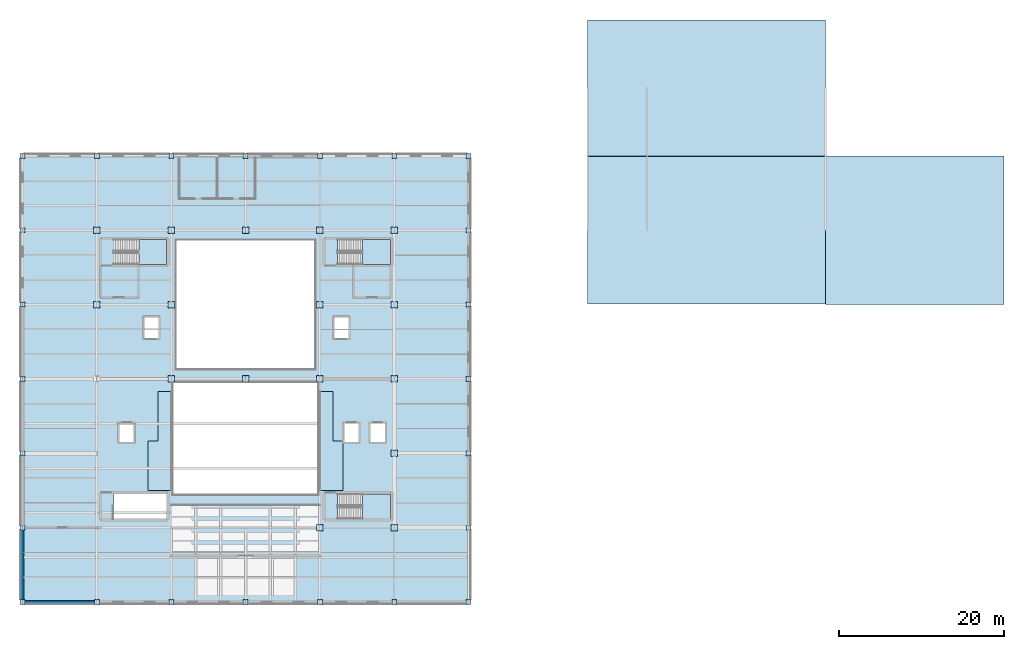
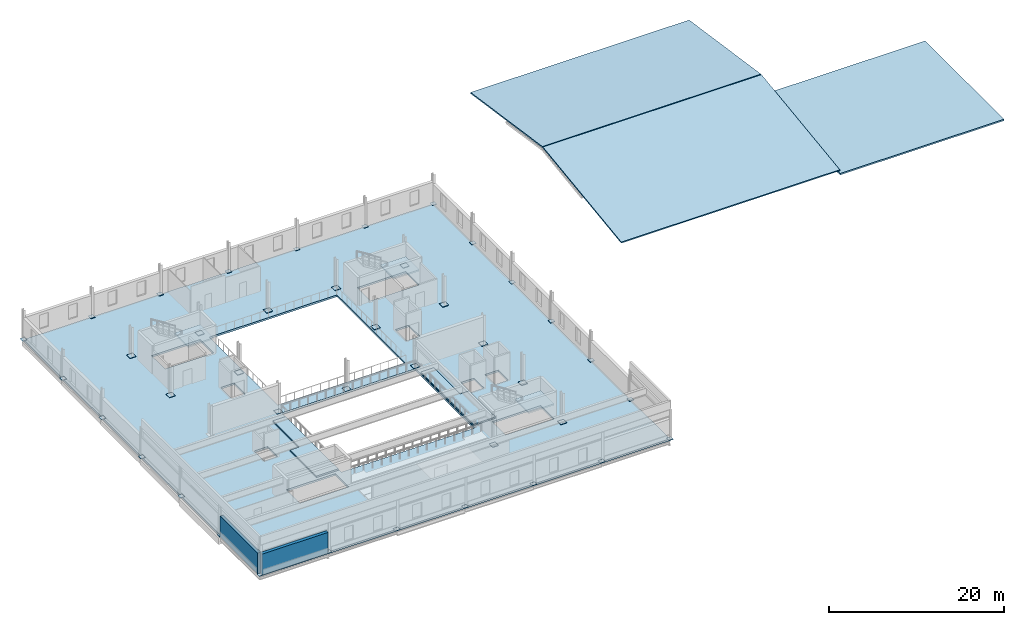
# One storey, part 8 of 17: 40 plates, 9 slabs, 2 walls, 3 elements without a shape of their own.
"""IFC4 building model written with IfcOpenShell, lengths in metres."""

from ifc_helpers import new_model, si_unit, direction, frame, frame_2d, origin, origin_2d, place, context, subcontext, project, spatial, polyline, rectangle, outline, extrude, material, layer, layer_set, type_object, element, aggregate, save


model = new_model("IFC4")

# Units and contexts
model_context = context("Model", 3, precision=1e-05, world=origin(), true_north=direction((0.0, 1.0)))
body_context = subcontext(model_context, "Body", "Model", "MODEL_VIEW")
ifc_project = project(units=[si_unit("LENGTHUNIT", "METRE"), si_unit("AREAUNIT", "SQUARE_METRE"), si_unit("VOLUMEUNIT", "CUBIC_METRE"), si_unit("PLANEANGLEUNIT", "RADIAN"), si_unit("MASSUNIT", "GRAM", prefix="KILO")], contexts=[model_context])

# Site, building, storey
site_placement = place(None, origin())
site = spatial("IfcSite", under=ifc_project, at=site_placement, CompositionType="ELEMENT")
building_placement = place(site_placement, origin())
building = spatial("IfcBuilding", under=site, at=building_placement, Name="Sundgate Opera House", CompositionType="ELEMENT")
storey_placement = place(building_placement, frame((0.0, 0.0, 26.39990234375)))
storey = spatial("IfcBuildingStorey", under=building, at=storey_placement, Name="L05", CompositionType="ELEMENT", Elevation=26.39990234375)

# Plates
ifc_material_1 = material(Name="Steel S355J2", Category="steel")
ifc_layer_1 = layer(ifc_material_1, 0.02587890625)
ifc_layer_set_1 = layer_set([ifc_layer_1], Name="Steel S355J2")
plate_type_1 = type_object("IfcPlateType", Name="PT-BAS-26", PredefinedType="USERDEFINED", material=ifc_layer_set_1)
for number, where, z_axis, x_axis, name in (
    (1, (27.0, 33.0, 0.000244140625), (0.0, 0.0, 1.0), (1.0, 0.0, 0.0), "L05 Base Plate PT0012"),
    (2, (63.0, 87.0, 0.000244140625), (0.0, 0.0, 1.0), (1.0, 0.0, 0.0), "L05 Base Plate PT0110"),
):
    element("IfcPlate", number, at=place(storey_placement, frame(where, z_axis=z_axis, x_axis=x_axis)), inside=storey, type_object=plate_type_1, Name=name, ObjectType="BASE PLATE", PredefinedType="USERDEFINED", context=body_context, shape_type="SweptSolid", body=[
        extrude(rectangle(XDim=0.590087890625, YDim=0.590087890625, at=origin_2d()), origin(), (0.0, 0.0, 1.0), 0.02587890625),
    ])
plate_1_placement = place(storey_placement, frame((72.0, 78.0, 0.000244140625), z_axis=(0.0, 0.0, 1.0), x_axis=(1.0, 0.0, 0.0)))
element("IfcPlate", 3, at=plate_1_placement, inside=storey, type_object=plate_type_1, Name="L05 Base Plate PT0125", ObjectType="BASE PLATE", PredefinedType="USERDEFINED", context=body_context, shape_type="SweptSolid", body=[
    extrude(rectangle(XDim=0.7900390625, YDim=0.7900390625, at=origin_2d()), origin(), (0.0, 0.0, 1.0), 0.02587890625),
])
plate_2_placement = place(storey_placement, frame((81.0, 69.0, 0.000244140625), z_axis=(0.0, 0.0, 1.0), x_axis=(1.0, 0.0, 0.0)))
element("IfcPlate", 4, at=plate_2_placement, inside=storey, type_object=plate_type_1, Name="L05 Base Plate PT0160", ObjectType="BASE PLATE", PredefinedType="USERDEFINED", context=body_context, shape_type="SweptSolid", body=[
    extrude(rectangle(XDim=0.590087890625, YDim=0.590087890625, at=origin_2d()), origin(), (0.0, 0.0, 1.0), 0.02587890625),
])
ifc_material_2 = material(Name="Steel S355J2", Category="steel")
ifc_layer_2 = layer(ifc_material_2, 0.030029296875)
ifc_layer_set_2 = layer_set([ifc_layer_2], Name="Steel S355J2")
plate_type_2 = type_object("IfcPlateType", Name="PT-BAS-30", PredefinedType="USERDEFINED", material=ifc_layer_set_2)
for number, where, z_axis, x_axis, name in (
    (5, (27.0, 42.0, 0.0), (0.0, 0.0, 1.0), (1.0, 0.0, 0.0), "L05 Base Plate PT0016"),
    (6, (36.0, 33.0, 0.0), (0.0, 0.0, 1.0), (1.0, 0.0, 0.0), "L05 Base Plate PT0047"),
    (7, (72.0, 87.0, 0.0), (0.0, 0.0, 1.0), (1.0, 0.0, 0.0), "L05 Base Plate PT0130"),
    (8, (81.0, 78.0, 0.0), (0.0, 0.0, 1.0), (1.0, 0.0, 0.0), "L05 Base Plate PT0165"),
):
    element("IfcPlate", number, at=place(storey_placement, frame(where, z_axis=z_axis, x_axis=x_axis)), inside=storey, type_object=plate_type_2, Name=name, ObjectType="BASE PLATE", PredefinedType="USERDEFINED", context=body_context, shape_type="SweptSolid", body=[
        extrude(rectangle(XDim=0.590087890625, YDim=0.590087890625, at=origin_2d()), origin(), (0.0, 0.0, 1.0), 0.030029296875),
    ])
ifc_material_3 = material(Name="Steel S355J2", Category="steel")
ifc_layer_3 = layer(ifc_material_3, 0.033935546875)
ifc_layer_set_3 = layer_set([ifc_layer_3], Name="Steel S355J2")
plate_type_3 = type_object("IfcPlateType", Name="PT-BAS-34", PredefinedType="USERDEFINED", material=ifc_layer_set_3)
for number, where, z_axis, x_axis, name in (
    (9, (27.0, 51.0, 0.0), (0.0, 0.0, 1.0), (1.0, 0.0, 0.0), "L05 Base Plate PT0020"),
    (10, (45.0, 33.0, 0.0), (0.0, 0.0, 1.0), (1.0, 0.0, 0.0), "L05 Base Plate PT0065"),
    (11, (81.0, 87.0, 0.0), (0.0, 0.0, 1.0), (1.0, 0.0, 0.0), "L05 Base Plate PT0170"),
):
    element("IfcPlate", number, at=place(storey_placement, frame(where, z_axis=z_axis, x_axis=x_axis)), inside=storey, type_object=plate_type_3, Name=name, ObjectType="BASE PLATE", PredefinedType="USERDEFINED", context=body_context, shape_type="SweptSolid", body=[
        extrude(rectangle(XDim=0.590087890625, YDim=0.590087890625, at=origin_2d()), origin(), (0.0, 0.0, 1.0), 0.033935546875),
    ])
ifc_material_4 = material(Name="Steel S355J2", Category="steel")
ifc_layer_4 = layer(ifc_material_4, 0.035888671875)
ifc_layer_set_4 = layer_set([ifc_layer_4], Name="Steel S355J2")
plate_type_4 = type_object("IfcPlateType", Name="PT-BAS-36", PredefinedType="USERDEFINED", material=ifc_layer_set_4)
for number, where, z_axis, x_axis, name in (
    (12, (27.0, 60.0, 0.0), (0.0, 0.0, 1.0), (1.0, 0.0, 0.0), "L05 Base Plate PT0024"),
    (13, (54.0, 33.0, 0.0), (0.0, 0.0, 1.0), (1.0, 0.0, 0.0), "L05 Base Plate PT0083"),
):
    element("IfcPlate", number, at=place(storey_placement, frame(where, z_axis=z_axis, x_axis=x_axis)), inside=storey, type_object=plate_type_4, Name=name, ObjectType="BASE PLATE", PredefinedType="USERDEFINED", context=body_context, shape_type="SweptSolid", body=[
        extrude(rectangle(XDim=0.590087890625, YDim=0.590087890625, at=origin_2d()), origin(), (0.0, 0.0, 1.0), 0.035888671875),
    ])
ifc_material_5 = material(Name="Steel S355J2", Category="steel")
ifc_layer_5 = layer(ifc_material_5, 0.0400390625)
ifc_layer_set_5 = layer_set([ifc_layer_5], Name="Steel S355J2")
plate_type_5 = type_object("IfcPlateType", Name="PT-BAS-40", PredefinedType="USERDEFINED", material=ifc_layer_set_5)
for number, where, z_axis, x_axis, name in (
    (14, (27.0, 69.0, 0.0), (0.0, 0.0, 1.0), (1.0, 0.0, 0.0), "L05 Base Plate PT0029"),
    (15, (63.0, 33.0, 0.0), (0.0, 0.0, 1.0), (1.0, 0.0, 0.0), "L05 Base Plate PT0099"),
):
    element("IfcPlate", number, at=place(storey_placement, frame(where, z_axis=z_axis, x_axis=x_axis)), inside=storey, type_object=plate_type_5, Name=name, ObjectType="BASE PLATE", PredefinedType="USERDEFINED", context=body_context, shape_type="SweptSolid", body=[
        extrude(rectangle(XDim=0.590087890625, YDim=0.590087890625, at=origin_2d()), origin(), (0.0, 0.0, 1.0), 0.0400390625),
    ])
ifc_material_6 = material(Name="Steel S355J2", Category="steel")
ifc_layer_6 = layer(ifc_material_6, 0.044921875)
ifc_layer_set_6 = layer_set([ifc_layer_6], Name="Steel S355J2")
plate_type_6 = type_object("IfcPlateType", Name="PT-BAS-45", PredefinedType="USERDEFINED", material=ifc_layer_set_6)
plate_3_placement = place(storey_placement, frame((27.0, 78.0, 0.000244140625), z_axis=(0.0, 0.0, 1.0), x_axis=(1.0, 0.0, 0.0)))
element("IfcPlate", 16, at=plate_3_placement, inside=storey, type_object=plate_type_6, Name="L05 Base Plate PT0034", ObjectType="BASE PLATE", PredefinedType="USERDEFINED", context=body_context, shape_type="SweptSolid", body=[
    extrude(rectangle(XDim=0.590087890625, YDim=0.590087890625, at=origin_2d()), origin(), (0.0, 0.0, 1.0), 0.044921875),
])
for number, where, z_axis, x_axis, name in (
    (17, (36.0, 69.0, 0.000244140625), (0.0, 0.0, 1.0), (1.0, 0.0, 0.0), "L05 Base Plate PT0050"),
    (18, (45.0, 60.0, 0.000244140625), (0.0, 0.0, 1.0), (1.0, 0.0, 0.0), "L05 Base Plate PT0066"),
    (19, (63.0, 42.0, 0.000244140625), (0.0, 0.0, 1.0), (1.0, 0.0, 0.0), "L05 Base Plate PT0100"),
):
    element("IfcPlate", number, at=place(storey_placement, frame(where, z_axis=z_axis, x_axis=x_axis)), inside=storey, type_object=plate_type_6, Name=name, ObjectType="BASE PLATE", PredefinedType="USERDEFINED", context=body_context, shape_type="SweptSolid", body=[
        extrude(rectangle(XDim=0.7900390625, YDim=0.7900390625, at=origin_2d()), origin(), (0.0, 0.0, 1.0), 0.044921875),
    ])
plate_4_placement = place(storey_placement, frame((72.0, 33.0, 0.000244140625), z_axis=(0.0, 0.0, 1.0), x_axis=(1.0, 0.0, 0.0)))
element("IfcPlate", 20, at=plate_4_placement, inside=storey, type_object=plate_type_6, Name="L05 Base Plate PT0118", ObjectType="BASE PLATE", PredefinedType="USERDEFINED", context=body_context, shape_type="SweptSolid", body=[
    extrude(rectangle(XDim=0.590087890625, YDim=0.590087890625, at=origin_2d()), origin(), (0.0, 0.0, 1.0), 0.044921875),
])
ifc_material_7 = material(Name="Steel S355J2", Category="steel")
ifc_layer_7 = layer(ifc_material_7, 0.050048828125)
ifc_layer_set_7 = layer_set([ifc_layer_7], Name="Steel S355J2")
plate_type_7 = type_object("IfcPlateType", Name="PT-BAS-50", PredefinedType="USERDEFINED", material=ifc_layer_set_7)
plate_5_placement = place(storey_placement, frame((27.0, 87.0, 0.0), z_axis=(0.0, 0.0, 1.0), x_axis=(1.0, 0.0, 0.0)))
element("IfcPlate", 21, at=plate_5_placement, inside=storey, type_object=plate_type_7, Name="L05 Base Plate PT0039", ObjectType="BASE PLATE", PredefinedType="USERDEFINED", context=body_context, shape_type="SweptSolid", body=[
    extrude(rectangle(XDim=0.590087890625, YDim=0.590087890625, at=origin_2d()), origin(), (0.0, 0.0, 1.0), 0.050048828125),
])
for number, where, z_axis, x_axis, name in (
    (22, (36.0, 78.0, 0.0), (0.0, 0.0, 1.0), (1.0, 0.0, 0.0), "L05 Base Plate PT0052"),
    (23, (45.0, 69.0, 0.0), (0.0, 0.0, 1.0), (1.0, 0.0, 0.0), "L05 Base Plate PT0068"),
    (24, (54.0, 60.0, 0.0), (0.0, 0.0, 1.0), (1.0, 0.0, 0.0), "L05 Base Plate PT0084"),
    (25, (72.0, 42.0, 0.0), (0.0, 0.0, 1.0), (1.0, 0.0, 0.0), "L05 Base Plate PT0119"),
):
    element("IfcPlate", number, at=place(storey_placement, frame(where, z_axis=z_axis, x_axis=x_axis)), inside=storey, type_object=plate_type_7, Name=name, ObjectType="BASE PLATE", PredefinedType="USERDEFINED", context=body_context, shape_type="SweptSolid", body=[
        extrude(rectangle(XDim=0.7900390625, YDim=0.7900390625, at=origin_2d()), origin(), (0.0, 0.0, 1.0), 0.050048828125),
    ])
plate_6_placement = place(storey_placement, frame((81.0, 33.0, 0.0), z_axis=(0.0, 0.0, 1.0), x_axis=(1.0, 0.0, 0.0)))
element("IfcPlate", 26, at=plate_6_placement, inside=storey, type_object=plate_type_7, Name="L05 Base Plate PT0143", ObjectType="BASE PLATE", PredefinedType="USERDEFINED", context=body_context, shape_type="SweptSolid", body=[
    extrude(rectangle(XDim=0.590087890625, YDim=0.590087890625, at=origin_2d()), origin(), (0.0, 0.0, 1.0), 0.050048828125),
])
ifc_material_8 = material(Name="Steel S355J2", Category="steel")
ifc_layer_8 = layer(ifc_material_8, 0.055908203125)
ifc_layer_set_8 = layer_set([ifc_layer_8], Name="Steel S355J2")
plate_type_8 = type_object("IfcPlateType", Name="PT-BAS-56", PredefinedType="USERDEFINED", material=ifc_layer_set_8)
plate_7_placement = place(storey_placement, frame((54.0, 87.0, 0.0), z_axis=(0.0, 0.0, 1.0), x_axis=(1.0, 0.0, 0.0)))
element("IfcPlate", 27, at=plate_7_placement, inside=storey, type_object=plate_type_8, Name="L05 Base Plate PT0091", ObjectType="BASE PLATE", PredefinedType="USERDEFINED", context=body_context, shape_type="SweptSolid", body=[
    extrude(rectangle(XDim=0.590087890625, YDim=0.590087890625, at=origin_2d()), origin(), (0.0, 0.0, 1.0), 0.055908203125),
])
for number, where, z_axis, x_axis, name in (
    (28, (63.0, 78.0, 0.0), (0.0, 0.0, 1.0), (1.0, 0.0, 0.0), "L05 Base Plate PT0105"),
    (29, (72.0, 69.0, 0.0), (0.0, 0.0, 1.0), (1.0, 0.0, 0.0), "L05 Base Plate PT0123"),
):
    element("IfcPlate", number, at=place(storey_placement, frame(where, z_axis=z_axis, x_axis=x_axis)), inside=storey, type_object=plate_type_8, Name=name, ObjectType="BASE PLATE", PredefinedType="USERDEFINED", context=body_context, shape_type="SweptSolid", body=[
        extrude(rectangle(XDim=0.7900390625, YDim=0.7900390625, at=origin_2d()), origin(), (0.0, 0.0, 1.0), 0.055908203125),
    ])
plate_8_placement = place(storey_placement, frame((81.0, 60.0, 0.0), z_axis=(0.0, 0.0, 1.0), x_axis=(1.0, 0.0, 0.0)))
element("IfcPlate", 30, at=plate_8_placement, inside=storey, type_object=plate_type_8, Name="L05 Base Plate PT0155", ObjectType="BASE PLATE", PredefinedType="USERDEFINED", context=body_context, shape_type="SweptSolid", body=[
    extrude(rectangle(XDim=0.590087890625, YDim=0.590087890625, at=origin_2d()), origin(), (0.0, 0.0, 1.0), 0.055908203125),
])
ifc_material_9 = material(Name="Steel S355J2", Category="steel")
ifc_layer_9 = layer(ifc_material_9, 0.06201171875)
ifc_layer_set_9 = layer_set([ifc_layer_9], Name="Steel S355J2")
plate_type_9 = type_object("IfcPlateType", Name="PT-BAS-62", PredefinedType="USERDEFINED", material=ifc_layer_set_9)
plate_9_placement = place(storey_placement, frame((45.0, 87.0, 0.0), z_axis=(0.0, 0.0, 1.0), x_axis=(1.0, 0.0, 0.0)))
element("IfcPlate", 31, at=plate_9_placement, inside=storey, type_object=plate_type_9, Name="L05 Base Plate PT0075", ObjectType="BASE PLATE", PredefinedType="USERDEFINED", context=body_context, shape_type="SweptSolid", body=[
    extrude(rectangle(XDim=0.590087890625, YDim=0.590087890625, at=origin_2d()), origin(), (0.0, 0.0, 1.0), 0.06201171875),
])
for number, where, z_axis, x_axis, name in (
    (32, (54.0, 78.0, 0.0), (0.0, 0.0, 1.0), (1.0, 0.0, 0.0), "L05 Base Plate PT0086"),
    (33, (63.0, 69.0, 0.0), (0.0, 0.0, 1.0), (1.0, 0.0, 0.0), "L05 Base Plate PT0103"),
    (34, (72.0, 60.0, 0.0), (0.0, 0.0, 1.0), (1.0, 0.0, 0.0), "L05 Base Plate PT0121"),
):
    element("IfcPlate", number, at=place(storey_placement, frame(where, z_axis=z_axis, x_axis=x_axis)), inside=storey, type_object=plate_type_9, Name=name, ObjectType="BASE PLATE", PredefinedType="USERDEFINED", context=body_context, shape_type="SweptSolid", body=[
        extrude(rectangle(XDim=0.7900390625, YDim=0.7900390625, at=origin_2d()), origin(), (0.0, 0.0, 1.0), 0.06201171875),
    ])
plate_10_placement = place(storey_placement, frame((81.0, 51.0, 0.0), z_axis=(0.0, 0.0, 1.0), x_axis=(1.0, 0.0, 0.0)))
element("IfcPlate", 35, at=plate_10_placement, inside=storey, type_object=plate_type_9, Name="L05 Base Plate PT0151", ObjectType="BASE PLATE", PredefinedType="USERDEFINED", context=body_context, shape_type="SweptSolid", body=[
    extrude(rectangle(XDim=0.590087890625, YDim=0.590087890625, at=origin_2d()), origin(), (0.0, 0.0, 1.0), 0.06201171875),
])
ifc_material_10 = material(Name="Steel S355J2", Category="steel")
ifc_layer_10 = layer(ifc_material_10, 0.068115234375)
ifc_layer_set_10 = layer_set([ifc_layer_10], Name="Steel S355J2")
plate_type_10 = type_object("IfcPlateType", Name="PT-BAS-68", PredefinedType="USERDEFINED", material=ifc_layer_set_10)
plate_11_placement = place(storey_placement, frame((36.0, 87.0, 0.0), z_axis=(0.0, 0.0, 1.0), x_axis=(1.0, 0.0, 0.0)))
element("IfcPlate", 36, at=plate_11_placement, inside=storey, type_object=plate_type_10, Name="L05 Base Plate PT0057", ObjectType="BASE PLATE", PredefinedType="USERDEFINED", context=body_context, shape_type="SweptSolid", body=[
    extrude(rectangle(XDim=0.590087890625, YDim=0.590087890625, at=origin_2d()), origin(), (0.0, 0.0, 1.0), 0.068115234375),
])
for number, where, z_axis, x_axis, name in (
    (37, (45.0, 78.0, 0.0), (0.0, 0.0, 1.0), (1.0, 0.0, 0.0), "L05 Base Plate PT0070"),
    (38, (63.0, 60.0, 0.0), (0.0, 0.0, 1.0), (1.0, 0.0, 0.0), "L05 Base Plate PT0101"),
    (39, (72.0, 51.0, 0.0), (0.0, 0.0, 1.0), (1.0, 0.0, 0.0), "L05 Base Plate PT0120"),
):
    element("IfcPlate", number, at=place(storey_placement, frame(where, z_axis=z_axis, x_axis=x_axis)), inside=storey, type_object=plate_type_10, Name=name, ObjectType="BASE PLATE", PredefinedType="USERDEFINED", context=body_context, shape_type="SweptSolid", body=[
        extrude(rectangle(XDim=0.7900390625, YDim=0.7900390625, at=origin_2d()), origin(), (0.0, 0.0, 1.0), 0.068115234375),
    ])
plate_12_placement = place(storey_placement, frame((81.0, 42.0, 0.0), z_axis=(0.0, 0.0, 1.0), x_axis=(1.0, 0.0, 0.0)))
element("IfcPlate", 40, at=plate_12_placement, inside=storey, type_object=plate_type_10, Name="L05 Base Plate PT0147", ObjectType="BASE PLATE", PredefinedType="USERDEFINED", context=body_context, shape_type="SweptSolid", body=[
    extrude(rectangle(XDim=0.590087890625, YDim=0.590087890625, at=origin_2d()), origin(), (0.0, 0.0, 1.0), 0.068115234375),
])

# Slab
ifc_material_11 = material(Name="Concrete C35/45", Category="concrete")
ifc_layer_11 = layer(ifc_material_11, 0.260009765625)
ifc_layer_set_11 = layer_set([ifc_layer_11], Name="Concrete C35/45")
slab_type_1 = type_object("IfcSlabType", Name="SL-FLR-260", PredefinedType="FLOOR", material=ifc_layer_set_11)
slab_1_placement = place(storey_placement, frame((0.0, 0.0, -0.260009765625)))
element("IfcSlab", 41, at=slab_1_placement, inside=storey, type_object=slab_type_1, Name="L05 Structural Floor Slab V1", PredefinedType="FLOOR", context=body_context, shape_type="SweptSolid", body=[
    extrude(outline(polyline([(27.0, 33.0), (81.0, 33.0), (81.0, 87.0), (27.0, 87.0), (27.0, 33.0)]), holes=[polyline([(45.199951171875, 59.60009765625), (62.800048828125, 59.60009765625), (62.800048828125, 46.0), (45.199951171875, 46.0), (45.199951171875, 59.60009765625)]), polyline([(45.60009765625, 76.800048828125), (62.39990234375, 76.800048828125), (62.39990234375, 61.199951171875), (45.60009765625, 61.199951171875), (45.60009765625, 76.800048828125)]), polyline([(38.050048828125, 46.10009765625), (44.449951171875, 46.10009765625), (44.449951171875, 43.050048828125), (38.050048828125, 43.050048828125), (38.050048828125, 46.10009765625)]), polyline([(38.050048828125, 76.89990234375), (44.449951171875, 76.89990234375), (44.449951171875, 73.85009765625), (38.050048828125, 73.85009765625), (38.050048828125, 76.89990234375)]), polyline([(65.14990234375, 46.10009765625), (71.550048828125, 46.10009765625), (71.550048828125, 43.050048828125), (65.14990234375, 43.050048828125), (65.14990234375, 46.10009765625)]), polyline([(65.14990234375, 76.89990234375), (71.550048828125, 76.89990234375), (71.550048828125, 73.85009765625), (65.14990234375, 73.85009765625), (65.14990234375, 76.89990234375)]), polyline([(65.919921875, 54.6298828125), (67.679931640625, 54.6298828125), (67.679931640625, 52.3701171875), (65.919921875, 52.3701171875), (65.919921875, 54.6298828125)]), polyline([(69.1201171875, 54.6298828125), (70.8798828125, 54.6298828125), (70.8798828125, 52.3701171875), (69.1201171875, 52.3701171875), (69.1201171875, 54.6298828125)]), polyline([(38.719970703125, 54.6298828125), (40.47998046875, 54.6298828125), (40.47998046875, 52.3701171875), (38.719970703125, 52.3701171875), (38.719970703125, 54.6298828125)]), polyline([(41.719970703125, 67.47998046875), (43.47998046875, 67.47998046875), (43.47998046875, 64.919921875), (41.719970703125, 64.919921875), (41.719970703125, 67.47998046875)]), polyline([(64.719970703125, 67.47998046875), (66.47998046875, 67.47998046875), (66.47998046875, 64.919921875), (64.719970703125, 64.919921875), (64.719970703125, 67.47998046875)])]), origin(), (0.0, 0.0, 1.0), 0.260009765625),
])

# Stair, slab
ifc_material_12 = material(Name="Concrete C35/45", Category="concrete")
stair_type = type_object("IfcStairType", Name="ST-HT-24R-1450", PredefinedType="HALF_TURN_STAIR", material=ifc_material_12)
stair_1_placement = place(storey_placement, origin())
stair_1 = element("IfcStair", 42, at=stair_1_placement, inside=storey, type_object=stair_type, Name="L05 Escape Stair ST-02", PredefinedType="HALF_TURN_STAIR")
ifc_material_13 = material(Name="Concrete C35/45", Category="concrete")
ifc_layer_12 = layer(ifc_material_13, 0.199951171875)
ifc_layer_set_12 = layer_set([ifc_layer_12], Name="Concrete C35/45")
slab_type_2 = type_object("IfcSlabType", Name="SL-LAND-200", PredefinedType="LANDING", material=ifc_layer_set_12)
slab_2_placement = place(storey_placement, frame((0.0, 0.0, 1.900146484375)))
slab_2 = element("IfcSlab", 43, at=slab_2_placement, type_object=slab_type_2, Name="ST02L05 Landing 1", PredefinedType="LANDING", context=body_context, shape_type="SweptSolid", body=[
    extrude(outline(polyline([(41.080078125, 73.85009765625), (44.449951171875, 73.85009765625), (44.449951171875, 76.89990234375), (41.080078125, 76.89990234375), (41.080078125, 73.85009765625)])), origin(), (0.0, 0.0, 1.0), 0.199951171875),
])
aggregate(stair_1, [slab_2])

stair_2_placement = place(storey_placement, origin())
stair_2 = element("IfcStair", 44, at=stair_2_placement, inside=storey, type_object=stair_type, Name="L05 Escape Stair ST-03", PredefinedType="HALF_TURN_STAIR")
slab_3_placement = place(storey_placement, frame((0.0, 0.0, 1.900146484375)))
slab_3 = element("IfcSlab", 45, at=slab_3_placement, type_object=slab_type_2, Name="ST03L05 Landing 1", PredefinedType="LANDING", context=body_context, shape_type="SweptSolid", body=[
    extrude(outline(polyline([(68.179931640625, 43.050048828125), (71.550048828125, 43.050048828125), (71.550048828125, 46.10009765625), (68.179931640625, 46.10009765625), (68.179931640625, 43.050048828125)])), origin(), (0.0, 0.0, 1.0), 0.199951171875),
])
aggregate(stair_2, [slab_3])

stair_3_placement = place(storey_placement, origin())
stair_3 = element("IfcStair", 46, at=stair_3_placement, inside=storey, type_object=stair_type, Name="L05 Escape Stair ST-04", PredefinedType="HALF_TURN_STAIR")
slab_4_placement = place(storey_placement, frame((0.0, 0.0, 1.900146484375)))
slab_4 = element("IfcSlab", 47, at=slab_4_placement, type_object=slab_type_2, Name="ST04L05 Landing 1", PredefinedType="LANDING", context=body_context, shape_type="SweptSolid", body=[
    extrude(outline(polyline([(68.179931640625, 73.85009765625), (71.550048828125, 73.85009765625), (71.550048828125, 76.89990234375), (68.179931640625, 76.89990234375), (68.179931640625, 73.85009765625)])), origin(), (0.0, 0.0, 1.0), 0.199951171875),
])
aggregate(stair_3, [slab_4])

# Slabs
ifc_material_14 = material(Name="Precast concrete C40/50", Category="concrete")
ifc_layer_13 = layer(ifc_material_14, 0.175048828125)
ifc_layer_set_13 = layer_set([ifc_layer_13], Name="Precast concrete C40/50")
slab_type_3 = type_object("IfcSlabType", Name="SL-ROOF-175", PredefinedType="ROOF", material=ifc_layer_set_13)
slab_5_placement = place(storey_placement, frame((95.39990234375, 69.050048828125, 0.5), z_axis=(0.0, -0.132897741573, 0.991129754515), x_axis=(1.0, 0.0, 0.0)))
element("IfcSlab", 48, at=slab_5_placement, inside=storey, type_object=slab_type_3, Name="V4 Conservatory Roof Slab SR060", PredefinedType="ROOF", context=body_context, shape_type="SweptSolid", body=[
    extrude(outline(polyline([(0.0, 0.0), (28.800048828125, 0.0), (28.800048828125, 18.06009986301971), (0.0, 18.06009986301971), (0.0, 0.0)])), origin(), (0.0, 0.0, -1.0), 0.175048828125),
])
slab_6_placement = place(storey_placement, frame((95.39990234375, 87.050048828125, 2.900146484375), z_axis=(0.0, 0.144808676843, 0.989459674323), x_axis=(1.0, 0.0, 0.0)))
element("IfcSlab", 49, at=slab_6_placement, inside=storey, type_object=slab_type_3, Name="V4 Conservatory Roof Slab SR061", PredefinedType="ROOF", context=body_context, shape_type="SweptSolid", body=[
    extrude(outline(polyline([(0.0, 0.0), (28.800048828125, 0.0), (28.800048828125, 16.574604068604305), (0.0, 16.574604068604305), (0.0, 0.0)])), origin(), (0.0, 0.0, -1.0), 0.175048828125),
])
ifc_material_15 = material(Name="Concrete C35/45", Category="concrete")
ifc_layer_14 = layer(ifc_material_15, 0.2099609375)
ifc_layer_set_14 = layer_set([ifc_layer_14], Name="Concrete C35/45")
slab_type_4 = type_object("IfcSlabType", Name="SL-ROOF-210", PredefinedType="ROOF", material=ifc_layer_set_14)
slab_7_placement = place(storey_placement, frame((0.0, 0.0, -0.2099609375)))
element("IfcSlab", 50, at=slab_7_placement, inside=storey, type_object=slab_type_4, Name="L05 Conservatory East Flat Roof", PredefinedType="ROOF", context=body_context, shape_type="SweptSolid", body=[
    extrude(outline(polyline([(124.199951171875, 69.0), (145.800048828125, 69.0), (145.800048828125, 87.0), (124.199951171875, 87.0), (124.199951171875, 69.0)])), origin(), (0.0, 0.0, 1.0), 0.2099609375),
])
ifc_material_16 = material(Name="Precast concrete C40/50", Category="concrete")
ifc_layer_15 = layer(ifc_material_16, 0.18505859375)
ifc_layer_set_15 = layer_set([ifc_layer_15], Name="Precast concrete C40/50")
slab_type_5 = type_object("IfcSlabType", Name="SL-TIER-185", PredefinedType="USERDEFINED", material=ifc_layer_set_15)
slab_8_placement = place(storey_placement, origin())
element("IfcSlab", 51, at=slab_8_placement, inside=storey, type_object=slab_type_5, Name="L05 East Horseshoe Opera Box Tier", ObjectType="SEATING TIER", PredefinedType="USERDEFINED", context=body_context, shape_type="SweptSolid", body=[
    extrude(outline(polyline([(62.89990234375, 46.5), (65.800048828125, 46.5), (65.800048828125, 52.5), (64.60009765625, 52.5), (64.60009765625, 58.5), (62.89990234375, 58.5), (62.89990234375, 46.5)])), origin(), (0.0, 0.0, 1.0), 0.18505859375),
])
ifc_material_17 = material(Name="Precast concrete C40/50", Category="concrete")
ifc_layer_16 = layer(ifc_material_17, 0.205078125)
ifc_layer_set_16 = layer_set([ifc_layer_16], Name="Precast concrete C40/50")
slab_type_6 = type_object("IfcSlabType", Name="SL-TIER-205", PredefinedType="USERDEFINED", material=ifc_layer_set_16)
slab_9_placement = place(storey_placement, origin())
element("IfcSlab", 52, at=slab_9_placement, inside=storey, type_object=slab_type_6, Name="L05 West Horseshoe Opera Box Tier", ObjectType="SEATING TIER", PredefinedType="USERDEFINED", context=body_context, shape_type="SweptSolid", body=[
    extrude(outline(polyline([(42.199951171875, 46.5), (45.10009765625, 46.5), (45.10009765625, 58.5), (43.39990234375, 58.5), (43.39990234375, 52.5), (42.199951171875, 52.5), (42.199951171875, 46.5)])), origin(), (0.0, 0.0, 1.0), 0.205078125),
])

# Walls
ifc_material_18 = material(Name="Vitrified stoneware trencadis and brick masonry", Category="masonry")
ifc_layer_17 = layer(ifc_material_18, 0.409912109375)
ifc_layer_set_17 = layer_set([ifc_layer_17], Name="Vitrified stoneware trencadis and brick masonry")
wall_type = type_object("IfcWallType", Name="WL-EXT-TRENC-410", PredefinedType="SOLIDWALL", material=ifc_layer_set_17)
wall_1_placement = place(storey_placement, frame((35.85498046875, 33.0, 0.0), z_axis=(0.0, 0.0, 1.0), x_axis=(-1.0, 0.0, 0.0)))
element("IfcWall", 53, at=wall_1_placement, inside=storey, type_object=wall_type, Name="L05 Lifted Cube South Relief Wall W0117", PredefinedType="SOLIDWALL", context=body_context, shape_type="SweptSolid", body=[
    extrude(rectangle(XDim=8.7099609375, YDim=0.409912109375, at=frame_2d((4.35498046875, 0.0))), origin(), (0.0, 0.0, 1.0), 2.905029296875),
])
wall_2_placement = place(storey_placement, frame((27.0, 41.780029296875, 0.0), z_axis=(0.0, 0.0, 1.0), x_axis=(0.0, -1.0, 0.0)))
element("IfcWall", 54, at=wall_2_placement, inside=storey, type_object=wall_type, Name="L05 Lifted Cube West Relief Wall W0129", PredefinedType="SOLIDWALL", context=body_context, shape_type="SweptSolid", body=[
    extrude(rectangle(XDim=8.56005859375, YDim=0.409912109375, at=frame_2d((4.280029296875, 0.0))), origin(), (0.0, 0.0, 1.0), 2.905029296875),
])

save(model, "model.ifc")
